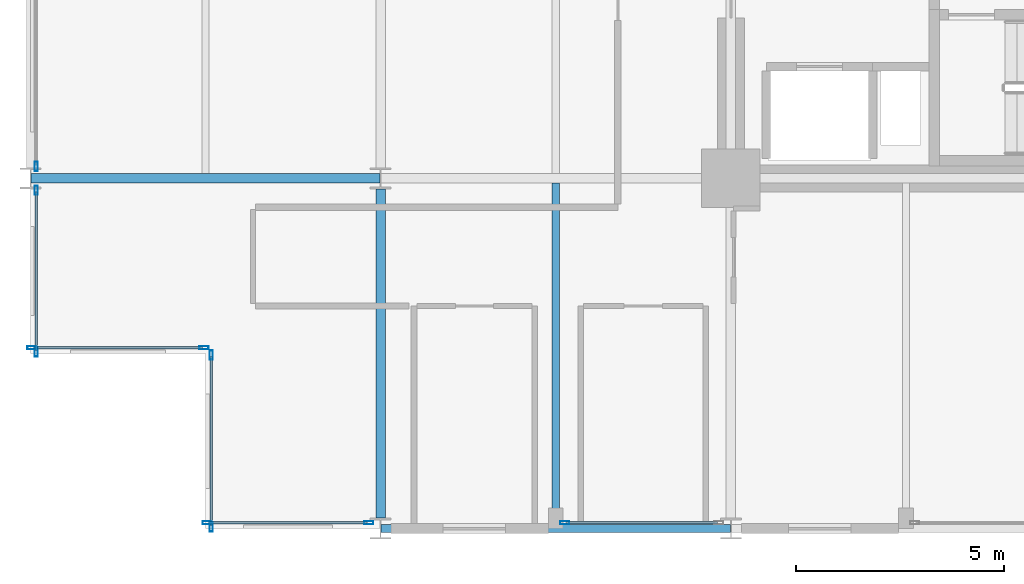
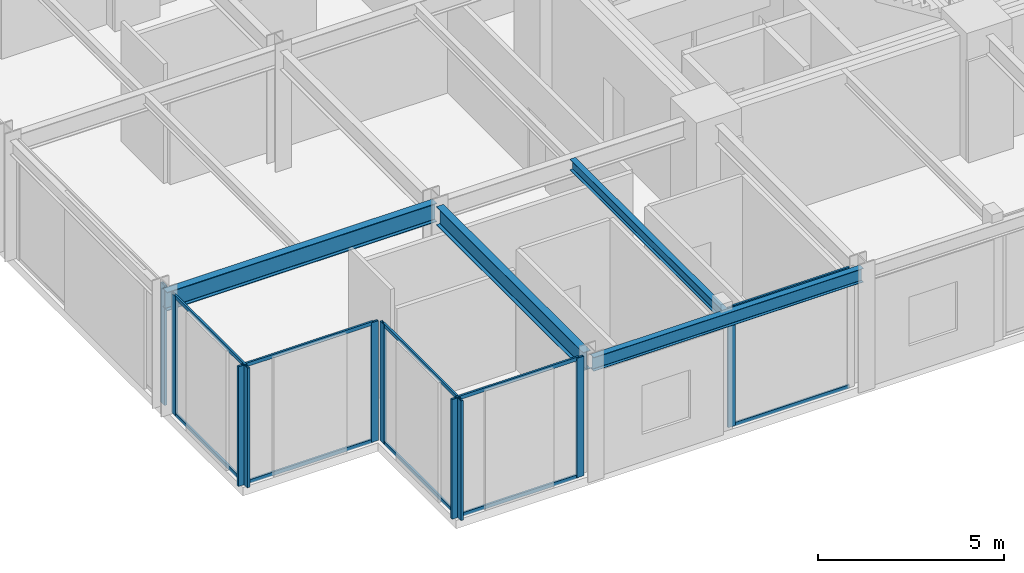
# One storey, part 2 of 24: 20 members, 4 beams, 6 elements without a shape of their own.
"""IFC4 building model written with IfcOpenShell, lengths in metres."""

from ifc_helpers import new_model, si_unit, direction, frame, origin, origin_2d, place, context, subcontext, project, spatial, hollow_rectangle, i_section, extrude, material, layer, layer_set, material_profile, profile_set, type_object, element, aggregate, save


model = new_model("IFC4")

# Units and contexts
model_context = context("Model", 3, precision=1e-05, world=origin(), true_north=direction((0.0, 1.0)))
body_context = subcontext(model_context, "Body", "Model", "MODEL_VIEW")
ifc_project = project(units=[si_unit("LENGTHUNIT", "METRE"), si_unit("AREAUNIT", "SQUARE_METRE"), si_unit("VOLUMEUNIT", "CUBIC_METRE"), si_unit("PLANEANGLEUNIT", "RADIAN"), si_unit("MASSUNIT", "GRAM", prefix="KILO")], contexts=[model_context])

# Site, building, storey
site_placement = place(None, origin())
site = spatial("IfcSite", under=ifc_project, at=site_placement, CompositionType="ELEMENT")
building_placement = place(site_placement, origin())
building = spatial("IfcBuilding", under=site, at=building_placement, Name="Nerrivon Quay Data Exchange", CompositionType="ELEMENT")
storey_placement = place(building_placement, frame((0.0, 0.0, 37.39990234375)))
storey = spatial("IfcBuildingStorey", under=building, at=storey_placement, Name="L08", CompositionType="ELEMENT", Elevation=37.39990234375)

# Beams
ifc_material_1 = material(Name="Steel Grade 350", Category="steel")
ifc_material_profile_1 = material_profile(ifc_material_1, i_section(OverallWidth=0.22900390625, OverallDepth=0.612060546875, WebThickness=0.011962890625, FlangeThickness=0.01953125, FilletRadius=0.013916015625, at=origin_2d()), Name="610UB125")
ifc_profile_set_1 = profile_set([ifc_material_profile_1], Name="Steel Grade 350")
beam_type_1 = type_object("IfcBeamType", Name="BM-G1-610UB125", PredefinedType="BEAM", material=ifc_profile_set_1)
beam_1_placement = place(storey_placement, frame((0.013916015625, 8.39990234375, 3.619140625), z_axis=(1.0, 0.0, 0.0), x_axis=(0.0, 1.0, 0.0)))
element("IfcBeam", 1, at=beam_1_placement, inside=storey, type_object=beam_type_1, Name="L08 EW Girder Y=8.4 (0.0..8.4)", PredefinedType="BEAM", context=body_context, shape_type="SweptSolid", body=[
    extrude(i_section(OverallWidth=0.22900390625, OverallDepth=0.612060546875, WebThickness=0.011962890625, FlangeThickness=0.01953125, FilletRadius=0.013916015625, at=origin_2d()), origin(), (0.0, 0.0, 1.0), 8.3720703125),
])
ifc_material_profile_2 = material_profile(ifc_material_1, i_section(OverallWidth=0.22802734375, OverallDepth=0.60205078125, WebThickness=0.010498046875, FlangeThickness=0.014892578125, FilletRadius=0.013916015625, at=origin_2d()), Name="610UB101")
ifc_profile_set_2 = profile_set([ifc_material_profile_2], Name="Steel Grade 350")
beam_type_2 = type_object("IfcBeamType", Name="BM-G2-610UB101", PredefinedType="BEAM", material=ifc_profile_set_2)
beam_2_placement = place(storey_placement, frame((8.39990234375, 0.25, 3.6240234375), z_axis=(0.0, 1.0, 0.0), x_axis=(-1.0, 0.0, 0.0)))
element("IfcBeam", 2, at=beam_2_placement, inside=storey, type_object=beam_type_2, Name="L08 NS Girder X=8.4 (0.0..8.4)", PredefinedType="BEAM", context=body_context, shape_type="SweptSolid", body=[
    extrude(i_section(OverallWidth=0.22802734375, OverallDepth=0.60205078125, WebThickness=0.010498046875, FlangeThickness=0.014892578125, FilletRadius=0.013916015625, at=origin_2d()), origin(), (0.0, 0.0, 1.0), 7.89990234375),
])
ifc_material_profile_3 = material_profile(ifc_material_1, i_section(OverallWidth=0.172119140625, OverallDepth=0.35888671875, WebThickness=0.008056640625, FlangeThickness=0.012939453125, FilletRadius=0.011474609375, at=origin_2d()), Name="360UB56.7")
ifc_profile_set_3 = profile_set([ifc_material_profile_3], Name="Steel Grade 350")
beam_type_3 = type_object("IfcBeamType", Name="BM-J3-360UB57", PredefinedType="JOIST", material=ifc_profile_set_3)
beam_3_placement = place(storey_placement, frame((12.60009765625, 0.094970703125, 3.74560546875), z_axis=(0.0, 1.0, 0.0), x_axis=(-1.0, 0.0, 0.0)))
element("IfcBeam", 3, at=beam_3_placement, inside=storey, type_object=beam_type_3, Name="L08 Secondary Joist X=12.6 (0.0..8.4)", PredefinedType="JOIST", context=body_context, shape_type="SweptSolid", body=[
    extrude(i_section(OverallWidth=0.172119140625, OverallDepth=0.35888671875, WebThickness=0.008056640625, FlangeThickness=0.012939453125, FilletRadius=0.011474609375, at=origin_2d()), origin(), (0.0, 0.0, 1.0), 8.1904296875),
])
ifc_material_profile_4 = material_profile(ifc_material_1, i_section(OverallWidth=0.18994140625, OverallDepth=0.4541015625, WebThickness=0.008544921875, FlangeThickness=0.0126953125, FilletRadius=0.011474609375, at=origin_2d()), Name="460UB67.1")
ifc_profile_set_4 = profile_set([ifc_material_profile_4], Name="Steel Grade 350")
beam_type_4 = type_object("IfcBeamType", Name="BM-SP1-460UB67", PredefinedType="SPANDREL", material=ifc_profile_set_4)
beam_4_placement = place(storey_placement, frame((8.4140625, 0.0, 3.697998046875), z_axis=(1.0, 0.0, 0.0), x_axis=(0.0, 1.0, 0.0)))
element("IfcBeam", 4, at=beam_4_placement, inside=storey, type_object=beam_type_4, Name="L08 EW Girder Y=0.0 (8.4..16.8)", PredefinedType="SPANDREL", context=body_context, shape_type="SweptSolid", body=[
    extrude(i_section(OverallWidth=0.18994140625, OverallDepth=0.4541015625, WebThickness=0.008544921875, FlangeThickness=0.0126953125, FilletRadius=0.011474609375, at=origin_2d()), origin(), (0.0, 0.0, 1.0), 8.371826171875),
])

# Curtain wall, member
ifc_material_2 = material(Name="Anodised aluminium 6063-T6", Category="aluminium")
ifc_layer = layer(ifc_material_2, 0.219970703125)
ifc_layer_set = layer_set([ifc_layer], Name="Anodised aluminium 6063-T6")
curtain_wall_type = type_object("IfcCurtainWallType", Name="CW-SYS-01", PredefinedType="NOTDEFINED", material=ifc_layer_set)
curtain_wall_1_placement = place(storey_placement, origin())
curtain_wall_1 = element("IfcCurtainWall", 5, at=curtain_wall_1_placement, inside=storey, type_object=curtain_wall_type, Name="L08 Unitised Curtain Wall 8", PredefinedType="NOTDEFINED")
ifc_material_profile_5 = material_profile(ifc_material_2, hollow_rectangle(XDim=0.074951171875, YDim=0.219970703125, WallThickness=0.00390625, at=origin_2d()), Name="ALU-MULL-220x75")
ifc_profile_set_5 = profile_set([ifc_material_profile_5], Name="Anodised aluminium 6063-T6")
member_type_1 = type_object("IfcMemberType", Name="CWM-220x75", PredefinedType="MULLION", material=ifc_profile_set_5)
member_1_placement = place(storey_placement, frame((12.8125, 0.139892578125, 0.0), z_axis=(0.0, 0.0, 1.0), x_axis=(0.0, -1.0, 0.0)))
member_1 = element("IfcMember", 6, at=member_1_placement, type_object=member_type_1, Name="CW01 mullion 2", PredefinedType="MULLION", context=body_context, shape_type="SweptSolid", body=[
    extrude(hollow_rectangle(XDim=0.074951171875, YDim=0.219970703125, WallThickness=0.00390625, at=origin_2d()), origin(), (0.0, 0.0, 1.0), 3.925048828125),
])

# Curtain wall, members
curtain_wall_2_placement = place(storey_placement, origin())
curtain_wall_2 = element("IfcCurtainWall", 7, at=curtain_wall_2_placement, inside=storey, type_object=curtain_wall_type, Name="L08 Unitised Curtain Wall 10", PredefinedType="NOTDEFINED")
member_2_placement = place(storey_placement, frame((8.112548828125, 0.139892578125, 0.0), z_axis=(0.0, 0.0, 1.0), x_axis=(0.0, -1.0, 0.0)))
member_2 = element("IfcMember", 8, at=member_2_placement, type_object=member_type_1, Name="CW01 mullion 1", PredefinedType="MULLION", context=body_context, shape_type="SweptSolid", body=[
    extrude(hollow_rectangle(XDim=0.074951171875, YDim=0.219970703125, WallThickness=0.00390625, at=origin_2d()), origin(), (0.0, 0.0, 1.0), 3.925048828125),
])
member_3_placement = place(storey_placement, frame((4.237548828125, 0.139892578125, 0.0), z_axis=(0.0, 0.0, 1.0), x_axis=(0.0, -1.0, 0.0)))
member_3 = element("IfcMember", 9, at=member_3_placement, type_object=member_type_1, Name="CW01 mullion 2", PredefinedType="MULLION", context=body_context, shape_type="SweptSolid", body=[
    extrude(hollow_rectangle(XDim=0.074951171875, YDim=0.219970703125, WallThickness=0.00390625, at=origin_2d()), origin(), (0.0, 0.0, 1.0), 3.925048828125),
])

curtain_wall_3_placement = place(storey_placement, origin())
curtain_wall_3 = element("IfcCurtainWall", 10, at=curtain_wall_3_placement, inside=storey, type_object=curtain_wall_type, Name="L08 Unitised Curtain Wall 11", PredefinedType="NOTDEFINED")
member_4_placement = place(storey_placement, frame((4.340087890625, 0.03759765625, 0.0), z_axis=(0.0, 0.0, 1.0), x_axis=(-1.0, 0.0, 0.0)))
member_4 = element("IfcMember", 11, at=member_4_placement, type_object=member_type_1, Name="CW01 mullion 1", PredefinedType="MULLION", context=body_context, shape_type="SweptSolid", body=[
    extrude(hollow_rectangle(XDim=0.074951171875, YDim=0.219970703125, WallThickness=0.00390625, at=origin_2d()), origin(), (0.0, 0.0, 1.0), 3.925048828125),
])
member_5_placement = place(storey_placement, frame((4.340087890625, 4.16259765625, 0.0), z_axis=(0.0, 0.0, 1.0), x_axis=(-1.0, 0.0, 0.0)))
member_5 = element("IfcMember", 12, at=member_5_placement, type_object=member_type_1, Name="CW01 mullion 2", PredefinedType="MULLION", context=body_context, shape_type="SweptSolid", body=[
    extrude(hollow_rectangle(XDim=0.074951171875, YDim=0.219970703125, WallThickness=0.00390625, at=origin_2d()), origin(), (0.0, 0.0, 1.0), 3.925048828125),
])

curtain_wall_4_placement = place(storey_placement, origin())
curtain_wall_4 = element("IfcCurtainWall", 13, at=curtain_wall_4_placement, inside=storey, type_object=curtain_wall_type, Name="L08 Unitised Curtain Wall 12", PredefinedType="NOTDEFINED")
member_6_placement = place(storey_placement, frame((4.16259765625, 4.340087890625, 0.0), z_axis=(0.0, 0.0, 1.0), x_axis=(0.0, -1.0, 0.0)))
member_6 = element("IfcMember", 14, at=member_6_placement, type_object=member_type_1, Name="CW01 mullion 1", PredefinedType="MULLION", context=body_context, shape_type="SweptSolid", body=[
    extrude(hollow_rectangle(XDim=0.074951171875, YDim=0.219970703125, WallThickness=0.00390625, at=origin_2d()), origin(), (0.0, 0.0, 1.0), 3.925048828125),
])
member_7_placement = place(storey_placement, frame((0.03759765625, 4.340087890625, 0.0), z_axis=(0.0, 0.0, 1.0), x_axis=(0.0, -1.0, 0.0)))
member_7 = element("IfcMember", 15, at=member_7_placement, type_object=member_type_1, Name="CW01 mullion 2", PredefinedType="MULLION", context=body_context, shape_type="SweptSolid", body=[
    extrude(hollow_rectangle(XDim=0.074951171875, YDim=0.219970703125, WallThickness=0.00390625, at=origin_2d()), origin(), (0.0, 0.0, 1.0), 3.925048828125),
])

curtain_wall_5_placement = place(storey_placement, origin())
curtain_wall_5 = element("IfcCurtainWall", 16, at=curtain_wall_5_placement, inside=storey, type_object=curtain_wall_type, Name="L08 Unitised Curtain Wall 13", PredefinedType="NOTDEFINED")
member_8_placement = place(storey_placement, frame((0.139892578125, 4.237548828125, 0.0), z_axis=(0.0, 0.0, 1.0), x_axis=(-1.0, 0.0, 0.0)))
member_8 = element("IfcMember", 17, at=member_8_placement, type_object=member_type_1, Name="CW01 mullion 1", PredefinedType="MULLION", context=body_context, shape_type="SweptSolid", body=[
    extrude(hollow_rectangle(XDim=0.074951171875, YDim=0.219970703125, WallThickness=0.00390625, at=origin_2d()), origin(), (0.0, 0.0, 1.0), 3.925048828125),
])
member_9_placement = place(storey_placement, frame((0.139892578125, 8.112548828125, 0.0), z_axis=(0.0, 0.0, 1.0), x_axis=(-1.0, 0.0, 0.0)))
member_9 = element("IfcMember", 18, at=member_9_placement, type_object=member_type_1, Name="CW01 mullion 2", PredefinedType="MULLION", context=body_context, shape_type="SweptSolid", body=[
    extrude(hollow_rectangle(XDim=0.074951171875, YDim=0.219970703125, WallThickness=0.00390625, at=origin_2d()), origin(), (0.0, 0.0, 1.0), 3.925048828125),
])

# Curtain wall, member
curtain_wall_6_placement = place(storey_placement, origin())
curtain_wall_6 = element("IfcCurtainWall", 19, at=curtain_wall_6_placement, inside=storey, type_object=curtain_wall_type, Name="L08 Unitised Curtain Wall 14", PredefinedType="NOTDEFINED")
member_10_placement = place(storey_placement, frame((0.139892578125, 8.6875, 0.0), z_axis=(0.0, 0.0, 1.0), x_axis=(-1.0, 0.0, 0.0)))
member_10 = element("IfcMember", 20, at=member_10_placement, type_object=member_type_1, Name="CW01 mullion 1", PredefinedType="MULLION", context=body_context, shape_type="SweptSolid", body=[
    extrude(hollow_rectangle(XDim=0.074951171875, YDim=0.219970703125, WallThickness=0.00390625, at=origin_2d()), origin(), (0.0, 0.0, 1.0), 3.925048828125),
])
aggregate(curtain_wall_6, [member_10])

# Member
ifc_material_profile_6 = material_profile(ifc_material_2, hollow_rectangle(XDim=0.06005859375, YDim=0.1201171875, WallThickness=0.003173828125, at=origin_2d()), Name="ALU-TRAN-120x60")
ifc_profile_set_6 = profile_set([ifc_material_profile_6], Name="Anodised aluminium 6063-T6")
member_type_2 = type_object("IfcMemberType", Name="CWT-120x60", PredefinedType="USERDEFINED", material=ifc_profile_set_6)
member_11_placement = place(storey_placement, frame((16.47509765625, 0.139892578125, 0.03271484375), z_axis=(-1.0, 0.0, 0.0), x_axis=(0.0, -1.0, 0.0)))
member_11 = element("IfcMember", 21, at=member_11_placement, type_object=member_type_2, Name="CW01 transom 1.1", ObjectType="TRANSOM", PredefinedType="USERDEFINED", context=body_context, shape_type="SweptSolid", body=[
    extrude(hollow_rectangle(XDim=0.06005859375, YDim=0.1201171875, WallThickness=0.003173828125, at=origin_2d()), origin(), (0.0, 0.0, 1.0), 3.625),
])

member_12_placement = place(storey_placement, frame((16.47509765625, 0.139892578125, 3.892578125), z_axis=(-1.0, 0.0, 0.0), x_axis=(0.0, -1.0, 0.0)))
member_12 = element("IfcMember", 22, at=member_12_placement, type_object=member_type_2, Name="CW01 transom 1.2", ObjectType="TRANSOM", PredefinedType="USERDEFINED", context=body_context, shape_type="SweptSolid", body=[
    extrude(hollow_rectangle(XDim=0.06005859375, YDim=0.1201171875, WallThickness=0.003173828125, at=origin_2d()), origin(), (0.0, 0.0, 1.0), 3.625),
])

aggregate(curtain_wall_1, [member_1, member_11, member_12])

member_13_placement = place(storey_placement, frame((8.074951171875, 0.139892578125, 0.03271484375), z_axis=(-1.0, 0.0, 0.0), x_axis=(0.0, -1.0, 0.0)))
member_13 = element("IfcMember", 23, at=member_13_placement, type_object=member_type_2, Name="CW01 transom 1.1", ObjectType="TRANSOM", PredefinedType="USERDEFINED", context=body_context, shape_type="SweptSolid", body=[
    extrude(hollow_rectangle(XDim=0.06005859375, YDim=0.1201171875, WallThickness=0.003173828125, at=origin_2d()), origin(), (0.0, 0.0, 1.0), 3.800048828125),
])

member_14_placement = place(storey_placement, frame((8.074951171875, 0.139892578125, 3.892578125), z_axis=(-1.0, 0.0, 0.0), x_axis=(0.0, -1.0, 0.0)))
member_14 = element("IfcMember", 24, at=member_14_placement, type_object=member_type_2, Name="CW01 transom 1.2", ObjectType="TRANSOM", PredefinedType="USERDEFINED", context=body_context, shape_type="SweptSolid", body=[
    extrude(hollow_rectangle(XDim=0.06005859375, YDim=0.1201171875, WallThickness=0.003173828125, at=origin_2d()), origin(), (0.0, 0.0, 1.0), 3.800048828125),
])

aggregate(curtain_wall_2, [member_2, member_3, member_13, member_14])

member_15_placement = place(storey_placement, frame((4.340087890625, 0.074951171875, 0.03271484375), z_axis=(0.0, 1.0, 0.0), x_axis=(-1.0, 0.0, 0.0)))
member_15 = element("IfcMember", 25, at=member_15_placement, type_object=member_type_2, Name="CW01 transom 1.1", ObjectType="TRANSOM", PredefinedType="USERDEFINED", context=body_context, shape_type="SweptSolid", body=[
    extrude(hollow_rectangle(XDim=0.06005859375, YDim=0.1201171875, WallThickness=0.003173828125, at=origin_2d()), origin(), (0.0, 0.0, 1.0), 4.050048828125),
])

member_16_placement = place(storey_placement, frame((4.340087890625, 0.074951171875, 3.892578125), z_axis=(0.0, 1.0, 0.0), x_axis=(-1.0, 0.0, 0.0)))
member_16 = element("IfcMember", 26, at=member_16_placement, type_object=member_type_2, Name="CW01 transom 1.2", ObjectType="TRANSOM", PredefinedType="USERDEFINED", context=body_context, shape_type="SweptSolid", body=[
    extrude(hollow_rectangle(XDim=0.06005859375, YDim=0.1201171875, WallThickness=0.003173828125, at=origin_2d()), origin(), (0.0, 0.0, 1.0), 4.050048828125),
])

aggregate(curtain_wall_3, [member_4, member_5, member_15, member_16])

member_17_placement = place(storey_placement, frame((4.125, 4.340087890625, 0.03271484375), z_axis=(-1.0, 0.0, 0.0), x_axis=(0.0, -1.0, 0.0)))
member_17 = element("IfcMember", 27, at=member_17_placement, type_object=member_type_2, Name="CW01 transom 1.1", ObjectType="TRANSOM", PredefinedType="USERDEFINED", context=body_context, shape_type="SweptSolid", body=[
    extrude(hollow_rectangle(XDim=0.06005859375, YDim=0.1201171875, WallThickness=0.003173828125, at=origin_2d()), origin(), (0.0, 0.0, 1.0), 4.050048828125),
])

member_18_placement = place(storey_placement, frame((4.125, 4.340087890625, 3.892578125), z_axis=(-1.0, 0.0, 0.0), x_axis=(0.0, -1.0, 0.0)))
member_18 = element("IfcMember", 28, at=member_18_placement, type_object=member_type_2, Name="CW01 transom 1.2", ObjectType="TRANSOM", PredefinedType="USERDEFINED", context=body_context, shape_type="SweptSolid", body=[
    extrude(hollow_rectangle(XDim=0.06005859375, YDim=0.1201171875, WallThickness=0.003173828125, at=origin_2d()), origin(), (0.0, 0.0, 1.0), 4.050048828125),
])

aggregate(curtain_wall_4, [member_6, member_7, member_17, member_18])

member_19_placement = place(storey_placement, frame((0.139892578125, 4.27490234375, 0.03271484375), z_axis=(0.0, 1.0, 0.0), x_axis=(-1.0, 0.0, 0.0)))
member_19 = element("IfcMember", 29, at=member_19_placement, type_object=member_type_2, Name="CW01 transom 1.1", ObjectType="TRANSOM", PredefinedType="USERDEFINED", context=body_context, shape_type="SweptSolid", body=[
    extrude(hollow_rectangle(XDim=0.06005859375, YDim=0.1201171875, WallThickness=0.003173828125, at=origin_2d()), origin(), (0.0, 0.0, 1.0), 3.800048828125),
])

member_20_placement = place(storey_placement, frame((0.139892578125, 4.27490234375, 3.892578125), z_axis=(0.0, 1.0, 0.0), x_axis=(-1.0, 0.0, 0.0)))
member_20 = element("IfcMember", 30, at=member_20_placement, type_object=member_type_2, Name="CW01 transom 1.2", ObjectType="TRANSOM", PredefinedType="USERDEFINED", context=body_context, shape_type="SweptSolid", body=[
    extrude(hollow_rectangle(XDim=0.06005859375, YDim=0.1201171875, WallThickness=0.003173828125, at=origin_2d()), origin(), (0.0, 0.0, 1.0), 3.800048828125),
])

aggregate(curtain_wall_5, [member_8, member_9, member_19, member_20])

save(model, "model.ifc")
